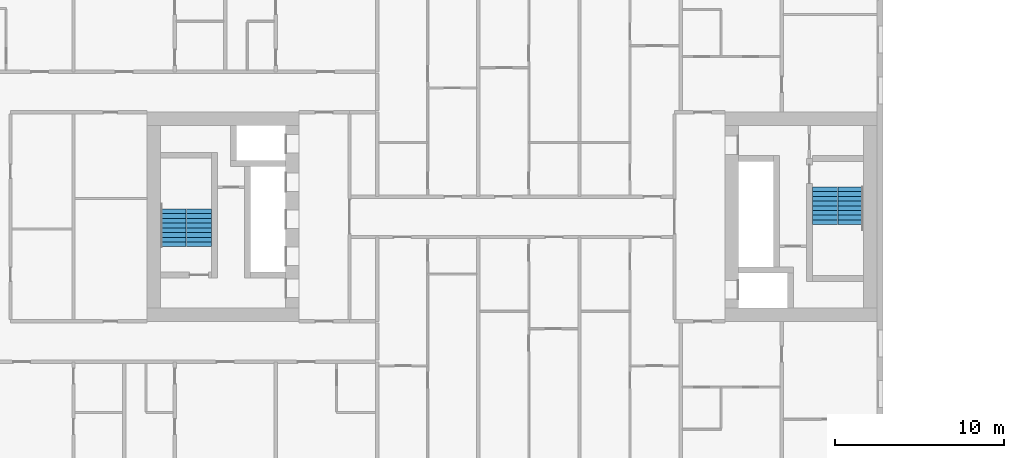
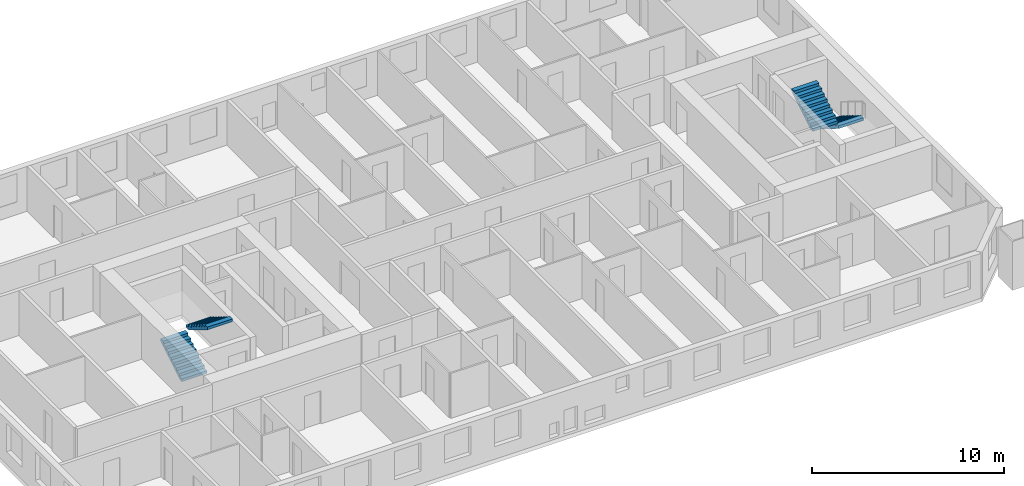
# One storey, part 15 of 16: 4 stair flights, 2 elements without a shape of their own.
"""IFC4 building model written with IfcOpenShell, lengths in metres."""

from ifc_helpers import new_model, si_unit, direction, frame, origin, place, context, subcontext, project, spatial, faceted_brep, material, type_object, element, aggregate, save


model = new_model("IFC4")

# Units and contexts
model_context = context("Model", 3, precision=1e-05, world=origin(), true_north=direction((0.0, 1.0)))
body_context = subcontext(model_context, "Body", "Model", "MODEL_VIEW")
ifc_project = project(units=[si_unit("LENGTHUNIT", "METRE"), si_unit("AREAUNIT", "SQUARE_METRE"), si_unit("VOLUMEUNIT", "CUBIC_METRE"), si_unit("PLANEANGLEUNIT", "RADIAN"), si_unit("MASSUNIT", "GRAM", prefix="KILO")], contexts=[model_context])

# Site, building, storey
site_placement = place(None, origin())
site = spatial("IfcSite", under=ifc_project, at=site_placement, CompositionType="ELEMENT")
building_placement = place(site_placement, origin())
building = spatial("IfcBuilding", under=site, at=building_placement, Name="Tuart Gate Housing", CompositionType="ELEMENT")
storey_placement = place(building_placement, frame((0.0, 0.0, 59.800048828125)))
storey = spatial("IfcBuildingStorey", under=building, at=storey_placement, Name="L16", CompositionType="ELEMENT", Elevation=59.800048828125)

# Stair, stair flights
ifc_material_1 = material(Name="Concrete C40", Category="concrete")
stair_type = type_object("IfcStairType", Name="Core stair 1500", PredefinedType="HALF_TURN_STAIR", material=ifc_material_1)
stair_1_placement = place(storey_placement, origin())
stair_1 = element("IfcStair", 1, at=stair_1_placement, inside=storey, type_object=stair_type, Name="Stair SA1", PredefinedType="HALF_TURN_STAIR")
ifc_material_2 = material(Name="Concrete C40", Category="concrete")
stair_flight_type = type_object("IfcStairFlightType", Name="Stair flight 1500, 9 risers 172 x 280", PredefinedType="STRAIGHT", material=ifc_material_2)
stair_flight_1_placement = place(storey_placement, frame((74.090087890625, 71.77490234375, 0.0), z_axis=(0.0, 0.0, 1.0), x_axis=(0.0, -1.0, 0.0)))
stair_flight_1 = element("IfcStairFlight", 2, at=stair_flight_1_placement, type_object=stair_flight_type, Name="SA1 flight 1", NumberOfRisers=9, NumberOfTreads=8, PredefinedType="STRAIGHT", RiserHeight=0.172222222, TreadLength=0.28, context=body_context, shape_type="Brep", body=[
    faceted_brep([(0.0, 0.75, 0.0), (0.0, 0.75, 0.172119140625), (0.280029296875, 0.75, 0.172119140625), (0.280029296875, 0.75, 0.344482421875), (0.56005859375, 0.75, 0.344482421875), (0.56005859375, 0.75, 0.5166015625), (0.840087890625, 0.75, 0.5166015625), (0.840087890625, 0.75, 0.68896484375), (1.1201171875, 0.75, 0.68896484375), (1.1201171875, 0.75, 0.861083984375), (1.39990234375, 0.75, 0.861083984375), (1.39990234375, 0.75, 1.033447265625), (1.679931640625, 0.75, 1.033447265625), (1.679931640625, 0.75, 1.20556640625), (1.9599609375, 0.75, 1.20556640625), (1.9599609375, 0.75, 1.377685546875), (2.239990234375, 0.75, 1.377685546875), (2.239990234375, 0.75, 1.201904296875), (0.2861328125, 0.75, 0.0), (0.2861328125, -0.75, 0.0), (2.239990234375, -0.75, 1.201904296875), (2.239990234375, -0.75, 1.377685546875), (1.9599609375, -0.75, 1.377685546875), (1.9599609375, -0.75, 1.20556640625), (1.679931640625, -0.75, 1.20556640625), (1.679931640625, -0.75, 1.033447265625), (1.39990234375, -0.75, 1.033447265625), (1.39990234375, -0.75, 0.861083984375), (1.1201171875, -0.75, 0.861083984375), (1.1201171875, -0.75, 0.68896484375), (0.840087890625, -0.75, 0.68896484375), (0.840087890625, -0.75, 0.5166015625), (0.56005859375, -0.75, 0.5166015625), (0.56005859375, -0.75, 0.344482421875), (0.280029296875, -0.75, 0.344482421875), (0.280029296875, -0.75, 0.172119140625), (0.0, -0.75, 0.172119140625), (0.0, -0.75, 0.0), (2.239990234375, 0.0, 1.201904296875), (0.2861328125, 0.0, 0.0), (2.239990234375, 0.0, 1.377685546875), (1.9599609375, 0.0, 1.377685546875), (1.9599609375, 0.0, 1.20556640625), (1.679931640625, 0.0, 1.20556640625), (1.679931640625, 0.0, 1.033447265625), (1.39990234375, 0.0, 1.033447265625), (1.39990234375, 0.0, 0.861083984375), (1.1201171875, 0.0, 0.861083984375), (1.1201171875, 0.0, 0.68896484375), (0.840087890625, 0.0, 0.68896484375), (0.840087890625, 0.0, 0.5166015625), (0.56005859375, 0.0, 0.5166015625), (0.56005859375, 0.0, 0.344482421875), (0.280029296875, 0.0, 0.344482421875), (0.280029296875, 0.0, 0.172119140625), (0.0, 0.0, 0.172119140625), (0.0, 0.0, 0.0)], [[[0, 1, 2, 3, 4, 5, 6, 7, 8, 9, 10, 11, 12, 13, 14, 15, 16, 17, 18]], [[19, 20, 21, 22, 23, 24, 25, 26, 27, 28, 29, 30, 31, 32, 33, 34, 35, 36, 37]], [[18, 17, 38, 39]], [[39, 38, 20, 19]], [[17, 16, 40, 38]], [[38, 40, 21, 20]], [[16, 15, 41, 40]], [[40, 41, 22, 21]], [[15, 14, 42, 41]], [[41, 42, 23, 22]], [[14, 13, 43, 42]], [[42, 43, 24, 23]], [[13, 12, 44, 43]], [[43, 44, 25, 24]], [[12, 11, 45, 44]], [[44, 45, 26, 25]], [[11, 10, 46, 45]], [[45, 46, 27, 26]], [[10, 9, 47, 46]], [[46, 47, 28, 27]], [[9, 8, 48, 47]], [[47, 48, 29, 28]], [[8, 7, 49, 48]], [[48, 49, 30, 29]], [[7, 6, 50, 49]], [[49, 50, 31, 30]], [[6, 5, 51, 50]], [[50, 51, 32, 31]], [[5, 4, 52, 51]], [[51, 52, 33, 32]], [[4, 3, 53, 52]], [[52, 53, 34, 33]], [[3, 2, 54, 53]], [[53, 54, 35, 34]], [[2, 1, 55, 54]], [[54, 55, 36, 35]], [[1, 0, 56, 55]], [[55, 56, 37, 36]], [[0, 18, 39, 56]], [[56, 39, 19, 37]]]),
])
stair_flight_2_placement = place(storey_placement, frame((72.56494140625, 69.534912109375, 1.550048828125), z_axis=(0.0, 0.0, 1.0), x_axis=(0.0, 1.0, 0.0)))
stair_flight_2 = element("IfcStairFlight", 3, at=stair_flight_2_placement, type_object=stair_flight_type, Name="SA1 flight 2", NumberOfRisers=9, NumberOfTreads=8, PredefinedType="STRAIGHT", RiserHeight=0.172222222, TreadLength=0.28, context=body_context, shape_type="Brep", body=[
    faceted_brep([(0.0, 0.75, 0.0), (0.0, 0.75, 0.172119140625), (0.280029296875, 0.75, 0.172119140625), (0.280029296875, 0.75, 0.344482421875), (0.56005859375, 0.75, 0.344482421875), (0.56005859375, 0.75, 0.5166015625), (0.840087890625, 0.75, 0.5166015625), (0.840087890625, 0.75, 0.68896484375), (1.1201171875, 0.75, 0.68896484375), (1.1201171875, 0.75, 0.861083984375), (1.39990234375, 0.75, 0.861083984375), (1.39990234375, 0.75, 1.033447265625), (1.679931640625, 0.75, 1.033447265625), (1.679931640625, 0.75, 1.20556640625), (1.9599609375, 0.75, 1.20556640625), (1.9599609375, 0.75, 1.377685546875), (2.239990234375, 0.75, 1.377685546875), (2.239990234375, 0.75, 1.201904296875), (0.2861328125, 0.75, 0.0), (0.2861328125, -0.75, 0.0), (2.239990234375, -0.75, 1.201904296875), (2.239990234375, -0.75, 1.377685546875), (1.9599609375, -0.75, 1.377685546875), (1.9599609375, -0.75, 1.20556640625), (1.679931640625, -0.75, 1.20556640625), (1.679931640625, -0.75, 1.033447265625), (1.39990234375, -0.75, 1.033447265625), (1.39990234375, -0.75, 0.861083984375), (1.1201171875, -0.75, 0.861083984375), (1.1201171875, -0.75, 0.68896484375), (0.840087890625, -0.75, 0.68896484375), (0.840087890625, -0.75, 0.5166015625), (0.56005859375, -0.75, 0.5166015625), (0.56005859375, -0.75, 0.344482421875), (0.280029296875, -0.75, 0.344482421875), (0.280029296875, -0.75, 0.172119140625), (0.0, -0.75, 0.172119140625), (0.0, -0.75, 0.0), (2.239990234375, 0.0, 1.201904296875), (0.2861328125, 0.0, 0.0), (2.239990234375, 0.0, 1.377685546875), (1.9599609375, 0.0, 1.377685546875), (1.9599609375, 0.0, 1.20556640625), (1.679931640625, 0.0, 1.20556640625), (1.679931640625, 0.0, 1.033447265625), (1.39990234375, 0.0, 1.033447265625), (1.39990234375, 0.0, 0.861083984375), (1.1201171875, 0.0, 0.861083984375), (1.1201171875, 0.0, 0.68896484375), (0.840087890625, 0.0, 0.68896484375), (0.840087890625, 0.0, 0.5166015625), (0.56005859375, 0.0, 0.5166015625), (0.56005859375, 0.0, 0.344482421875), (0.280029296875, 0.0, 0.344482421875), (0.280029296875, 0.0, 0.172119140625), (0.0, 0.0, 0.172119140625), (0.0, 0.0, 0.0)], [[[0, 1, 2, 3, 4, 5, 6, 7, 8, 9, 10, 11, 12, 13, 14, 15, 16, 17, 18]], [[19, 20, 21, 22, 23, 24, 25, 26, 27, 28, 29, 30, 31, 32, 33, 34, 35, 36, 37]], [[18, 17, 38, 39]], [[39, 38, 20, 19]], [[17, 16, 40, 38]], [[38, 40, 21, 20]], [[16, 15, 41, 40]], [[40, 41, 22, 21]], [[15, 14, 42, 41]], [[41, 42, 23, 22]], [[14, 13, 43, 42]], [[42, 43, 24, 23]], [[13, 12, 44, 43]], [[43, 44, 25, 24]], [[12, 11, 45, 44]], [[44, 45, 26, 25]], [[11, 10, 46, 45]], [[45, 46, 27, 26]], [[10, 9, 47, 46]], [[46, 47, 28, 27]], [[9, 8, 48, 47]], [[47, 48, 29, 28]], [[8, 7, 49, 48]], [[48, 49, 30, 29]], [[7, 6, 50, 49]], [[49, 50, 31, 30]], [[6, 5, 51, 50]], [[50, 51, 32, 31]], [[5, 4, 52, 51]], [[51, 52, 33, 32]], [[4, 3, 53, 52]], [[52, 53, 34, 33]], [[3, 2, 54, 53]], [[53, 54, 35, 34]], [[2, 1, 55, 54]], [[54, 55, 36, 35]], [[1, 0, 56, 55]], [[55, 56, 37, 36]], [[0, 18, 39, 56]], [[56, 39, 19, 37]]]),
])
aggregate(stair_1, [stair_flight_1, stair_flight_2])

stair_2_placement = place(storey_placement, origin())
stair_2 = element("IfcStair", 4, at=stair_2_placement, inside=storey, type_object=stair_type, Name="Stair SA2", PredefinedType="HALF_TURN_STAIR")
stair_flight_3_placement = place(storey_placement, frame((33.909912109375, 68.22509765625, 0.0), z_axis=(0.0, 0.0, 1.0), x_axis=(0.0, 1.0, 0.0)))
stair_flight_3 = element("IfcStairFlight", 5, at=stair_flight_3_placement, type_object=stair_flight_type, Name="SA2 flight 1", NumberOfRisers=9, NumberOfTreads=8, PredefinedType="STRAIGHT", RiserHeight=0.172222222, TreadLength=0.28, context=body_context, shape_type="Brep", body=[
    faceted_brep([(0.0, 0.75, 0.0), (0.0, 0.75, 0.172119140625), (0.280029296875, 0.75, 0.172119140625), (0.280029296875, 0.75, 0.344482421875), (0.56005859375, 0.75, 0.344482421875), (0.56005859375, 0.75, 0.5166015625), (0.840087890625, 0.75, 0.5166015625), (0.840087890625, 0.75, 0.68896484375), (1.1201171875, 0.75, 0.68896484375), (1.1201171875, 0.75, 0.861083984375), (1.39990234375, 0.75, 0.861083984375), (1.39990234375, 0.75, 1.033447265625), (1.679931640625, 0.75, 1.033447265625), (1.679931640625, 0.75, 1.20556640625), (1.9599609375, 0.75, 1.20556640625), (1.9599609375, 0.75, 1.377685546875), (2.239990234375, 0.75, 1.377685546875), (2.239990234375, 0.75, 1.201904296875), (0.2861328125, 0.75, 0.0), (0.2861328125, -0.75, 0.0), (2.239990234375, -0.75, 1.201904296875), (2.239990234375, -0.75, 1.377685546875), (1.9599609375, -0.75, 1.377685546875), (1.9599609375, -0.75, 1.20556640625), (1.679931640625, -0.75, 1.20556640625), (1.679931640625, -0.75, 1.033447265625), (1.39990234375, -0.75, 1.033447265625), (1.39990234375, -0.75, 0.861083984375), (1.1201171875, -0.75, 0.861083984375), (1.1201171875, -0.75, 0.68896484375), (0.840087890625, -0.75, 0.68896484375), (0.840087890625, -0.75, 0.5166015625), (0.56005859375, -0.75, 0.5166015625), (0.56005859375, -0.75, 0.344482421875), (0.280029296875, -0.75, 0.344482421875), (0.280029296875, -0.75, 0.172119140625), (0.0, -0.75, 0.172119140625), (0.0, -0.75, 0.0), (2.239990234375, 0.0, 1.201904296875), (0.2861328125, 0.0, 0.0), (2.239990234375, 0.0, 1.377685546875), (1.9599609375, 0.0, 1.377685546875), (1.9599609375, 0.0, 1.20556640625), (1.679931640625, 0.0, 1.20556640625), (1.679931640625, 0.0, 1.033447265625), (1.39990234375, 0.0, 1.033447265625), (1.39990234375, 0.0, 0.861083984375), (1.1201171875, 0.0, 0.861083984375), (1.1201171875, 0.0, 0.68896484375), (0.840087890625, 0.0, 0.68896484375), (0.840087890625, 0.0, 0.5166015625), (0.56005859375, 0.0, 0.5166015625), (0.56005859375, 0.0, 0.344482421875), (0.280029296875, 0.0, 0.344482421875), (0.280029296875, 0.0, 0.172119140625), (0.0, 0.0, 0.172119140625), (0.0, 0.0, 0.0)], [[[0, 1, 2, 3, 4, 5, 6, 7, 8, 9, 10, 11, 12, 13, 14, 15, 16, 17, 18]], [[19, 20, 21, 22, 23, 24, 25, 26, 27, 28, 29, 30, 31, 32, 33, 34, 35, 36, 37]], [[18, 17, 38, 39]], [[39, 38, 20, 19]], [[17, 16, 40, 38]], [[38, 40, 21, 20]], [[16, 15, 41, 40]], [[40, 41, 22, 21]], [[15, 14, 42, 41]], [[41, 42, 23, 22]], [[14, 13, 43, 42]], [[42, 43, 24, 23]], [[13, 12, 44, 43]], [[43, 44, 25, 24]], [[12, 11, 45, 44]], [[44, 45, 26, 25]], [[11, 10, 46, 45]], [[45, 46, 27, 26]], [[10, 9, 47, 46]], [[46, 47, 28, 27]], [[9, 8, 48, 47]], [[47, 48, 29, 28]], [[8, 7, 49, 48]], [[48, 49, 30, 29]], [[7, 6, 50, 49]], [[49, 50, 31, 30]], [[6, 5, 51, 50]], [[50, 51, 32, 31]], [[5, 4, 52, 51]], [[51, 52, 33, 32]], [[4, 3, 53, 52]], [[52, 53, 34, 33]], [[3, 2, 54, 53]], [[53, 54, 35, 34]], [[2, 1, 55, 54]], [[54, 55, 36, 35]], [[1, 0, 56, 55]], [[55, 56, 37, 36]], [[0, 18, 39, 56]], [[56, 39, 19, 37]]]),
])
stair_flight_4_placement = place(storey_placement, frame((35.43505859375, 70.465087890625, 1.550048828125), z_axis=(0.0, 0.0, 1.0), x_axis=(0.0, -1.0, 0.0)))
stair_flight_4 = element("IfcStairFlight", 6, at=stair_flight_4_placement, type_object=stair_flight_type, Name="SA2 flight 2", NumberOfRisers=9, NumberOfTreads=8, PredefinedType="STRAIGHT", RiserHeight=0.172222222, TreadLength=0.28, context=body_context, shape_type="Brep", body=[
    faceted_brep([(0.0, 0.75, 0.0), (0.0, 0.75, 0.172119140625), (0.280029296875, 0.75, 0.172119140625), (0.280029296875, 0.75, 0.344482421875), (0.56005859375, 0.75, 0.344482421875), (0.56005859375, 0.75, 0.5166015625), (0.840087890625, 0.75, 0.5166015625), (0.840087890625, 0.75, 0.68896484375), (1.1201171875, 0.75, 0.68896484375), (1.1201171875, 0.75, 0.861083984375), (1.39990234375, 0.75, 0.861083984375), (1.39990234375, 0.75, 1.033447265625), (1.679931640625, 0.75, 1.033447265625), (1.679931640625, 0.75, 1.20556640625), (1.9599609375, 0.75, 1.20556640625), (1.9599609375, 0.75, 1.377685546875), (2.239990234375, 0.75, 1.377685546875), (2.239990234375, 0.75, 1.201904296875), (0.2861328125, 0.75, 0.0), (0.2861328125, -0.75, 0.0), (2.239990234375, -0.75, 1.201904296875), (2.239990234375, -0.75, 1.377685546875), (1.9599609375, -0.75, 1.377685546875), (1.9599609375, -0.75, 1.20556640625), (1.679931640625, -0.75, 1.20556640625), (1.679931640625, -0.75, 1.033447265625), (1.39990234375, -0.75, 1.033447265625), (1.39990234375, -0.75, 0.861083984375), (1.1201171875, -0.75, 0.861083984375), (1.1201171875, -0.75, 0.68896484375), (0.840087890625, -0.75, 0.68896484375), (0.840087890625, -0.75, 0.5166015625), (0.56005859375, -0.75, 0.5166015625), (0.56005859375, -0.75, 0.344482421875), (0.280029296875, -0.75, 0.344482421875), (0.280029296875, -0.75, 0.172119140625), (0.0, -0.75, 0.172119140625), (0.0, -0.75, 0.0), (2.239990234375, 0.0, 1.201904296875), (0.2861328125, 0.0, 0.0), (2.239990234375, 0.0, 1.377685546875), (1.9599609375, 0.0, 1.377685546875), (1.9599609375, 0.0, 1.20556640625), (1.679931640625, 0.0, 1.20556640625), (1.679931640625, 0.0, 1.033447265625), (1.39990234375, 0.0, 1.033447265625), (1.39990234375, 0.0, 0.861083984375), (1.1201171875, 0.0, 0.861083984375), (1.1201171875, 0.0, 0.68896484375), (0.840087890625, 0.0, 0.68896484375), (0.840087890625, 0.0, 0.5166015625), (0.56005859375, 0.0, 0.5166015625), (0.56005859375, 0.0, 0.344482421875), (0.280029296875, 0.0, 0.344482421875), (0.280029296875, 0.0, 0.172119140625), (0.0, 0.0, 0.172119140625), (0.0, 0.0, 0.0)], [[[0, 1, 2, 3, 4, 5, 6, 7, 8, 9, 10, 11, 12, 13, 14, 15, 16, 17, 18]], [[19, 20, 21, 22, 23, 24, 25, 26, 27, 28, 29, 30, 31, 32, 33, 34, 35, 36, 37]], [[18, 17, 38, 39]], [[39, 38, 20, 19]], [[17, 16, 40, 38]], [[38, 40, 21, 20]], [[16, 15, 41, 40]], [[40, 41, 22, 21]], [[15, 14, 42, 41]], [[41, 42, 23, 22]], [[14, 13, 43, 42]], [[42, 43, 24, 23]], [[13, 12, 44, 43]], [[43, 44, 25, 24]], [[12, 11, 45, 44]], [[44, 45, 26, 25]], [[11, 10, 46, 45]], [[45, 46, 27, 26]], [[10, 9, 47, 46]], [[46, 47, 28, 27]], [[9, 8, 48, 47]], [[47, 48, 29, 28]], [[8, 7, 49, 48]], [[48, 49, 30, 29]], [[7, 6, 50, 49]], [[49, 50, 31, 30]], [[6, 5, 51, 50]], [[50, 51, 32, 31]], [[5, 4, 52, 51]], [[51, 52, 33, 32]], [[4, 3, 53, 52]], [[52, 53, 34, 33]], [[3, 2, 54, 53]], [[53, 54, 35, 34]], [[2, 1, 55, 54]], [[54, 55, 36, 35]], [[1, 0, 56, 55]], [[55, 56, 37, 36]], [[0, 18, 39, 56]], [[56, 39, 19, 37]]]),
])
aggregate(stair_2, [stair_flight_3, stair_flight_4])

save(model, "model.ifc")
